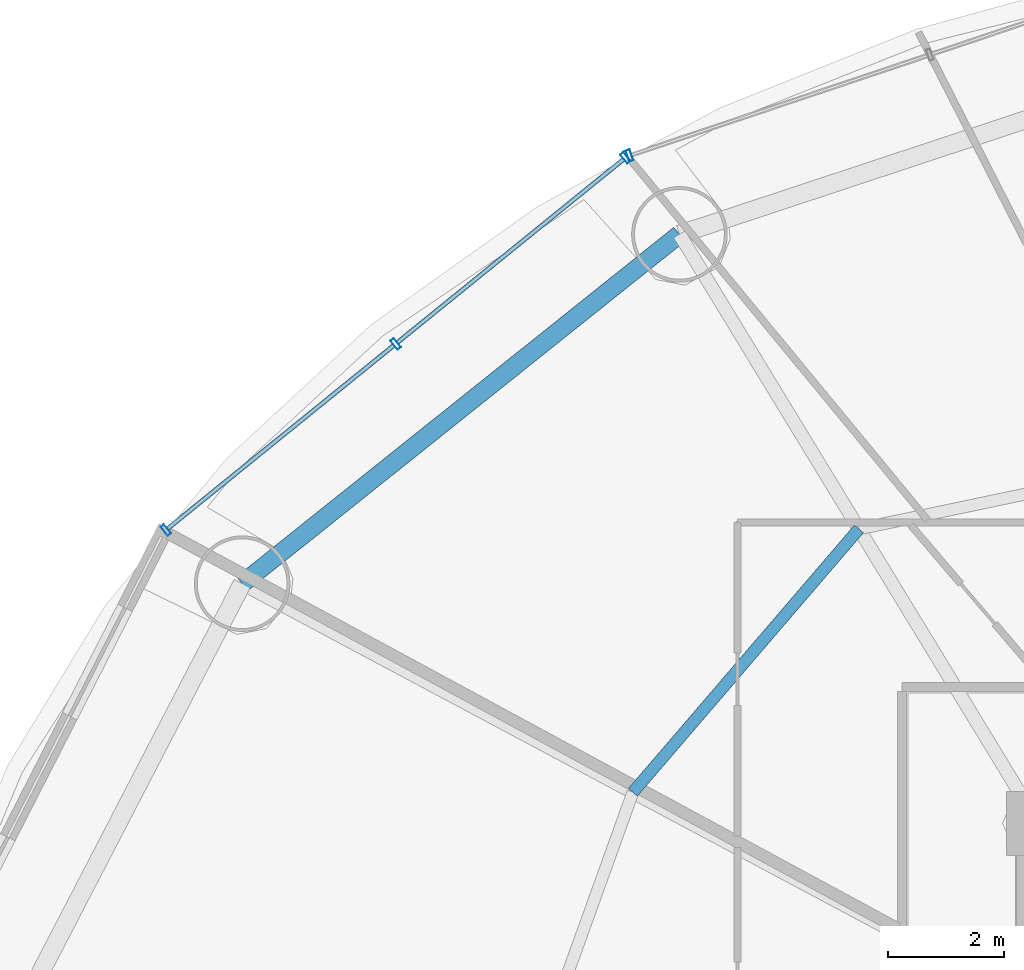
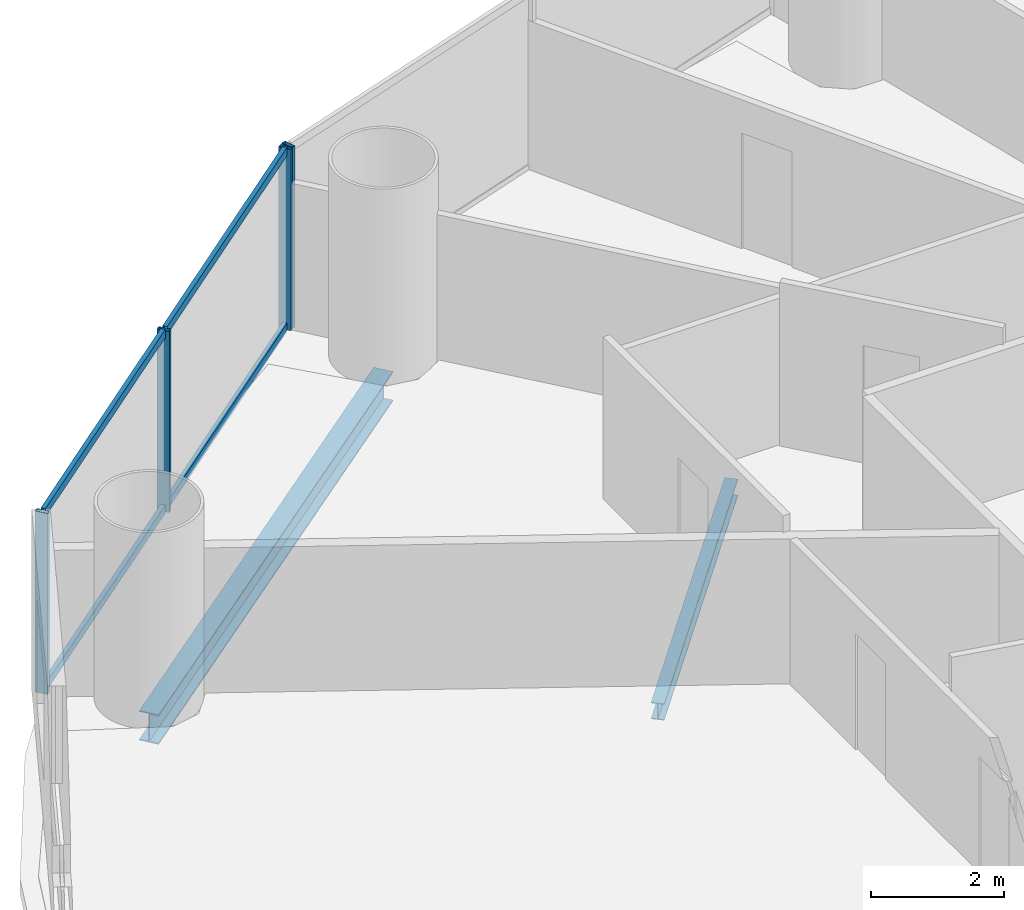
# One storey, part 15 of 29: 8 members, 2 beams, 2 elements without a shape of their own.
"""IFC4 building model written with IfcOpenShell, lengths in metres."""

from ifc_helpers import new_model, si_unit, direction, frame, origin, origin_2d, place, context, subcontext, project, spatial, hollow_rectangle, i_section, extrude, source, transform, mapped, material, material_profile, profile_set, type_object, element, aggregate, save


model = new_model("IFC4")

# Units and contexts
model_context = context("Model", 3, precision=1e-05, world=origin(), true_north=direction((-0.2419218956, 0.970295726276)))
body_context = subcontext(model_context, "Body", "Model", "MODEL_VIEW")
ifc_project = project(units=[si_unit("LENGTHUNIT", "METRE"), si_unit("AREAUNIT", "SQUARE_METRE"), si_unit("VOLUMEUNIT", "CUBIC_METRE"), si_unit("PLANEANGLEUNIT", "RADIAN"), si_unit("MASSUNIT", "GRAM", prefix="KILO")], contexts=[model_context])

# Site, building, storey
site_placement = place(None, origin())
site = spatial("IfcSite", under=ifc_project, at=site_placement, CompositionType="ELEMENT")
building_placement = place(site_placement, origin())
building = spatial("IfcBuilding", under=site, at=building_placement, Name="Cobrevalo Terracotta Tower", CompositionType="ELEMENT")
storey_placement = place(building_placement, frame((0.0, 0.0, 45.60009765625)))
storey = spatial("IfcBuildingStorey", under=building, at=storey_placement, Name="L11", CompositionType="ELEMENT", Elevation=45.60009765625)

# Beams
ifc_material_1 = material(Name="Steel S355", Category="steel")
ifc_material_profile_1 = material_profile(ifc_material_1, i_section(OverallWidth=0.2041015625, OverallDepth=0.305908203125, WebThickness=0.008544921875, FlangeThickness=0.0146484375, at=origin_2d()), Name="W 310x67")
ifc_profile_set_1 = profile_set([ifc_material_profile_1], Name="Steel S355")
beam_type_1 = type_object("IfcBeamType", Name="Structural Joist W 310x67 (Steel S355)", PredefinedType="JOIST", material=ifc_profile_set_1)
beam_1_placement = place(storey_placement, frame((25.902587890625, 39.8837890625, -0.43310546875), z_axis=(-0.651328404454, -0.758795960421, 0.0), x_axis=(0.758795960421, -0.651328404454, 0.0)))
element("IfcBeam", 1, at=beam_1_placement, inside=storey, type_object=beam_type_1, Name="L11 circumferential secondary floor joist 06", PredefinedType="JOIST", context=body_context, shape_type="SweptSolid", body=[
    extrude(i_section(OverallWidth=0.2041015625, OverallDepth=0.305908203125, WebThickness=0.008544921875, FlangeThickness=0.0146484375, at=origin_2d()), origin(), (0.0, 0.0, 1.0), 5.98828125),
])
ifc_material_profile_2 = material_profile(ifc_material_1, i_section(OverallWidth=0.31201171875, OverallDepth=0.54296875, WebThickness=0.0126953125, FlangeThickness=0.020263671875, at=origin_2d()), Name="W 530x150")
ifc_profile_set_2 = profile_set([ifc_material_profile_2], Name="Steel S355")
beam_type_2 = type_object("IfcBeamType", Name="Structural Spandrel W 530x150 (Steel S355)", PredefinedType="SPANDREL", material=ifc_profile_set_2)
beam_2_placement = place(storey_placement, frame((22.80517578125, 44.967529296875, -0.551513671875), z_axis=(-0.781292806807, -0.62416468182, 0.0), x_axis=(0.62416468182, -0.781292806807, 0.0)))
element("IfcBeam", 2, at=beam_2_placement, inside=storey, type_object=beam_type_2, Name="L11 perimeter ring spandrel 06", PredefinedType="SPANDREL", context=body_context, shape_type="SweptSolid", body=[
    extrude(i_section(OverallWidth=0.31201171875, OverallDepth=0.54296875, WebThickness=0.0126953125, FlangeThickness=0.020263671875, at=origin_2d()), origin(), (0.0, 0.0, 1.0), 9.658203125),
])

# Curtain wall, members
ifc_material_2 = material(Name="Anodized aluminium", Category="aluminium")
curtain_wall_type = type_object("IfcCurtainWallType", Name="Lower-tower unitised acoustic low-E curtain wall CW-U1", PredefinedType="NOTDEFINED", material=ifc_material_2)
curtain_wall_1_placement = place(storey_placement, origin())
curtain_wall_1 = element("IfcCurtainWall", 3, at=curtain_wall_1_placement, inside=storey, type_object=curtain_wall_type, Name="L11 curtain wall CW-L11-S06", PredefinedType="NOTDEFINED")
ifc_material_profile_3 = material_profile(ifc_material_2, hollow_rectangle(XDim=0.074951171875, YDim=0.14990234375, WallThickness=0.00439453125, at=origin_2d()), Name="CWT 75x150")
ifc_profile_set_3 = profile_set([ifc_material_profile_3], Name="Anodized aluminium")
member_type_1 = type_object("IfcMemberType", Name="Tower unitised aluminium transom 75x150", PredefinedType="USERDEFINED", material=ifc_profile_set_3)
shared_shape_1 = source(origin(), body_context, "Body", "SweptSolid", [
    extrude(hollow_rectangle(XDim=0.074951171875, YDim=0.14990234375, WallThickness=0.00439453125, at=origin_2d()), origin(), (0.0, 0.0, 1.0), 5.0234375),
])
member_1_placement = place(storey_placement, frame((21.843017578125, 46.26416015625, 0.0498046875), z_axis=(-0.777022991593, -0.629472215857, 0.0), x_axis=(0.629472215857, -0.777022991593, 0.0)))
member_1 = element("IfcMember", 4, at=member_1_placement, type_object=member_type_1, Name="CW-L11-S06 transom B01-T1", ObjectType="TRANSOM", PredefinedType="USERDEFINED", context=body_context, shape_type="MappedRepresentation", body=[
    mapped(shared_shape_1, transform((0.0, 0.0, 0.0), scale=1.0)),
])
member_2_placement = place(storey_placement, frame((21.843017578125, 46.26416015625, 3.27001953125), z_axis=(-0.777022991593, -0.629472215857, 0.0), x_axis=(0.629472215857, -0.777022991593, 0.0)))
member_2 = element("IfcMember", 5, at=member_2_placement, type_object=member_type_1, Name="CW-L11-S06 transom B01-T2", ObjectType="TRANSOM", PredefinedType="USERDEFINED", context=body_context, shape_type="MappedRepresentation", body=[
    mapped(shared_shape_1, transform((0.0, 0.0, 0.0), scale=1.0)),
])
member_3_placement = place(storey_placement, frame((17.877685546875, 43.0517578125, 0.0498046875), z_axis=(-0.777022991593, -0.629472215857, 0.0), x_axis=(0.629472215857, -0.777022991593, 0.0)))
member_3 = element("IfcMember", 6, at=member_3_placement, type_object=member_type_1, Name="CW-L11-S06 transom B02-T1", ObjectType="TRANSOM", PredefinedType="USERDEFINED", context=body_context, shape_type="MappedRepresentation", body=[
    mapped(shared_shape_1, transform((0.0, 0.0, 0.0), scale=1.0)),
])
member_4_placement = place(storey_placement, frame((17.877685546875, 43.0517578125, 3.27001953125), z_axis=(-0.777022991593, -0.629472215857, 0.0), x_axis=(0.629472215857, -0.777022991593, 0.0)))
member_4 = element("IfcMember", 7, at=member_4_placement, type_object=member_type_1, Name="CW-L11-S06 transom B02-T2", ObjectType="TRANSOM", PredefinedType="USERDEFINED", context=body_context, shape_type="MappedRepresentation", body=[
    mapped(shared_shape_1, transform((0.0, 0.0, 0.0), scale=1.0)),
])

# Curtain wall, member
curtain_wall_2_placement = place(storey_placement, origin())
curtain_wall_2 = element("IfcCurtainWall", 8, at=curtain_wall_2_placement, inside=storey, type_object=curtain_wall_type, Name="L11 curtain wall CW-L11-S05", PredefinedType="NOTDEFINED")
ifc_material_profile_4 = material_profile(ifc_material_2, hollow_rectangle(XDim=0.074951171875, YDim=0.199951171875, WallThickness=0.0048828125, at=origin_2d()), Name="CWM 75x200")
ifc_profile_set_4 = profile_set([ifc_material_profile_4], Name="Anodized aluminium")
member_type_2 = type_object("IfcMemberType", Name="Lower/mid tower unitised mullion 75x200", PredefinedType="MULLION", material=ifc_profile_set_4)
shared_shape_2 = source(origin(), body_context, "Body", "SweptSolid", [
    extrude(hollow_rectangle(XDim=0.074951171875, YDim=0.199951171875, WallThickness=0.0048828125, at=origin_2d()), origin(), (0.0, 0.0, 1.0), 3.31982421875),
])
member_5_placement = place(storey_placement, frame((21.943115234375, 46.327392578125, 0.0), z_axis=(0.0, 0.0, 1.0), x_axis=(-0.948046393597, -0.318132103987, 0.0)))
member_5 = element("IfcMember", 9, at=member_5_placement, type_object=member_type_2, Name="CW-L11-S05 vertical mullion 03", PredefinedType="MULLION", context=body_context, shape_type="MappedRepresentation", body=[
    mapped(shared_shape_2, transform((0.0, 0.0, 0.0), scale=1.0)),
])
aggregate(curtain_wall_2, [member_5])

# Member
member_6_placement = place(storey_placement, frame((21.8740234375, 46.289306640625, 0.0), z_axis=(0.0, 0.0, 1.0), x_axis=(-0.777003153187, -0.629496703675, 0.0)))
member_6 = element("IfcMember", 10, at=member_6_placement, type_object=member_type_2, Name="CW-L11-S06 vertical mullion 01", PredefinedType="MULLION", context=body_context, shape_type="MappedRepresentation", body=[
    mapped(shared_shape_2, transform((0.0, 0.0, 0.0), scale=1.0)),
])

member_7_placement = place(storey_placement, frame((17.90869140625, 43.076904296875, 0.0), z_axis=(0.0, 0.0, 1.0), x_axis=(-0.777003153187, -0.629496703675, 0.0)))
member_7 = element("IfcMember", 11, at=member_7_placement, type_object=member_type_2, Name="CW-L11-S06 vertical mullion 02", PredefinedType="MULLION", context=body_context, shape_type="MappedRepresentation", body=[
    mapped(shared_shape_2, transform((0.0, 0.0, 0.0), scale=1.0)),
])

member_8_placement = place(storey_placement, frame((13.943359375, 39.864501953125, 0.0), z_axis=(0.0, 0.0, 1.0), x_axis=(-0.777003153187, -0.629496703675, 0.0)))
member_8 = element("IfcMember", 12, at=member_8_placement, type_object=member_type_2, Name="CW-L11-S06 vertical mullion 03", PredefinedType="MULLION", context=body_context, shape_type="MappedRepresentation", body=[
    mapped(shared_shape_2, transform((0.0, 0.0, 0.0), scale=1.0)),
])

aggregate(curtain_wall_1, [member_6, member_7, member_8, member_1, member_2, member_3, member_4])

save(model, "model.ifc")
